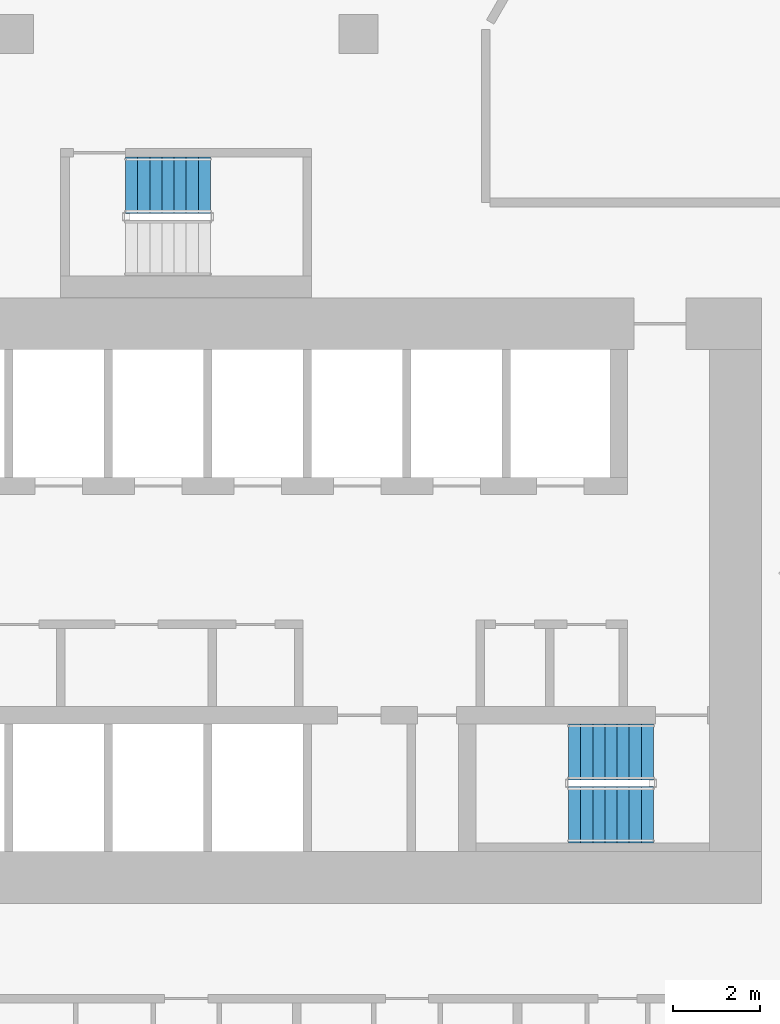
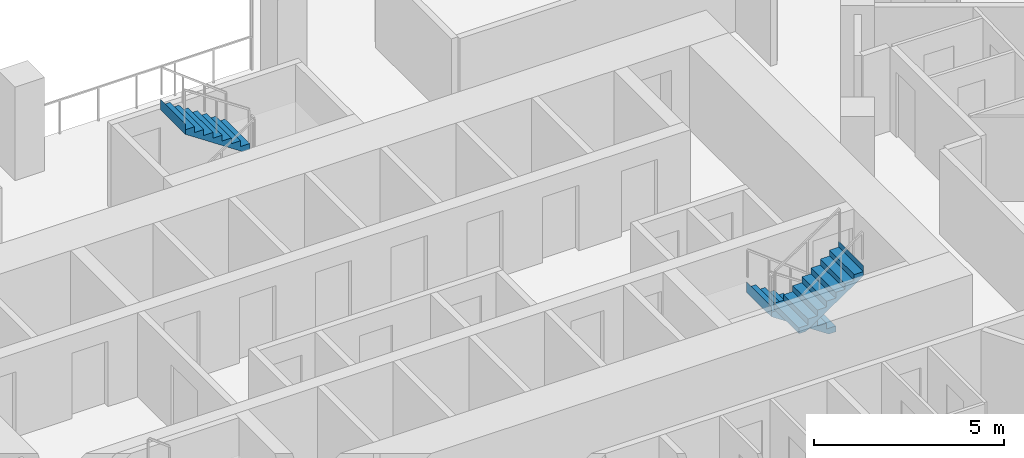
# One storey, part 17 of 21: 3 stair flights, 2 elements without a shape of their own.
"""IFC4 building model written with IfcOpenShell, lengths in metres."""

from ifc_helpers import new_model, si_unit, direction, frame, origin, place, context, subcontext, project, spatial, triangles, material, type_object, element, aggregate, save


model = new_model("IFC4")

# Units and contexts
model_context = context("Model", 3, precision=1e-05, world=origin(), true_north=direction((0.0, 1.0)))
body_context = subcontext(model_context, "Body", "Model", "MODEL_VIEW")
ifc_project = project(units=[si_unit("LENGTHUNIT", "METRE"), si_unit("AREAUNIT", "SQUARE_METRE"), si_unit("VOLUMEUNIT", "CUBIC_METRE"), si_unit("PLANEANGLEUNIT", "RADIAN"), si_unit("MASSUNIT", "GRAM", prefix="KILO")], contexts=[model_context])

# Site, building, storey
site_placement = place(None, origin())
site = spatial("IfcSite", under=ifc_project, at=site_placement, CompositionType="ELEMENT")
building_placement = place(site_placement, origin())
building = spatial("IfcBuilding", under=site, at=building_placement, Name="Beryl Residences", CompositionType="ELEMENT")
storey_placement = place(building_placement, frame((0.0, 0.0, 29.39990234375)))
storey = spatial("IfcBuildingStorey", under=building, at=storey_placement, Name="L08", CompositionType="ELEMENT", Elevation=29.39990234375)

# Stair, stair flights
ifc_material_1 = material(Name="Concrete C40/50", Category="concrete")
stair_type = type_object("IfcStairType", Name="ST1 protected exit stair, half-turn, 1300 mm flights", PredefinedType="HALF_TURN_STAIR", material=ifc_material_1)
stair_1_placement = place(storey_placement, origin())
stair_1 = element("IfcStair", 1, at=stair_1_placement, inside=storey, type_object=stair_type, Name="L08 PROTECTED EXIT STAIR ST-3", PredefinedType="HALF_TURN_STAIR")
ifc_material_2 = material(Name="Concrete C40/50", Category="concrete")
stair_flight_type = type_object("IfcStairFlightType", Name="SF1 stair flight 1300 mm", PredefinedType="STRAIGHT", material=ifc_material_2)
stair_flight_1_placement = place(storey_placement, frame((10.800048828125, -15.5, 0.0), z_axis=(0.0, 0.0, 1.0), x_axis=(-1.0, 0.0, 0.0)))
stair_flight_1 = element("IfcStairFlight", 2, at=stair_flight_1_placement, type_object=stair_flight_type, Name="ST-3 flight 1", NumberOfRisers=8, NumberOfTreads=7, PredefinedType="STRAIGHT", RiserHeight=0.1875, TreadLength=0.28, context=body_context, shape_type="Tessellation", body=[
    triangles([(0.0, -0.64990234375, 0.0), (0.0, -0.324951171875, 0.0), (0.0, 0.0, 0.0), (0.0, 0.324951171875, 0.0), (0.0, 0.64990234375, 0.0), (0.0, -0.64990234375, 0.1875), (0.0, -0.324951171875, 0.1875), (0.0, 0.0, 0.1875), (0.0, 0.324951171875, 0.1875), (0.0, 0.64990234375, 0.1875), (0.280029296875, -0.64990234375, 0.1875), (0.280029296875, -0.324951171875, 0.1875), (0.280029296875, 0.0, 0.1875), (0.280029296875, 0.324951171875, 0.1875), (0.280029296875, 0.64990234375, 0.1875), (0.280029296875, -0.64990234375, 0.375), (0.280029296875, -0.324951171875, 0.375), (0.280029296875, 0.0, 0.375), (0.280029296875, 0.324951171875, 0.375), (0.280029296875, 0.64990234375, 0.375), (0.56005859375, -0.64990234375, 0.375), (0.56005859375, -0.324951171875, 0.375), (0.56005859375, 0.0, 0.375), (0.56005859375, 0.324951171875, 0.375), (0.56005859375, 0.64990234375, 0.375), (0.56005859375, -0.64990234375, 0.5625), (0.56005859375, -0.324951171875, 0.5625), (0.56005859375, 0.0, 0.5625), (0.56005859375, 0.324951171875, 0.5625), (0.56005859375, 0.64990234375, 0.5625), (0.840087890625, -0.64990234375, 0.5625), (0.840087890625, -0.324951171875, 0.5625), (0.840087890625, 0.0, 0.5625), (0.840087890625, 0.324951171875, 0.5625), (0.840087890625, 0.64990234375, 0.5625), (0.840087890625, -0.64990234375, 0.75), (0.840087890625, -0.324951171875, 0.75), (0.840087890625, 0.0, 0.75), (0.840087890625, 0.324951171875, 0.75), (0.840087890625, 0.64990234375, 0.75), (1.1201171875, -0.64990234375, 0.75), (1.1201171875, -0.324951171875, 0.75), (1.1201171875, 0.0, 0.75), (1.1201171875, 0.324951171875, 0.75), (1.1201171875, 0.64990234375, 0.75), (1.1201171875, -0.64990234375, 0.9375), (1.1201171875, -0.324951171875, 0.9375), (1.1201171875, 0.0, 0.9375), (1.1201171875, 0.324951171875, 0.9375), (1.1201171875, 0.64990234375, 0.9375), (1.39990234375, -0.64990234375, 0.9375), (1.39990234375, -0.324951171875, 0.9375), (1.39990234375, 0.0, 0.9375), (1.39990234375, 0.324951171875, 0.9375), (1.39990234375, 0.64990234375, 0.9375), (1.39990234375, -0.64990234375, 1.125), (1.39990234375, -0.324951171875, 1.125), (1.39990234375, 0.0, 1.125), (1.39990234375, 0.324951171875, 1.125), (1.39990234375, 0.64990234375, 1.125), (1.679931640625, -0.64990234375, 1.125), (1.679931640625, -0.324951171875, 1.125), (1.679931640625, 0.0, 1.125), (1.679931640625, 0.324951171875, 1.125), (1.679931640625, 0.64990234375, 1.125), (1.679931640625, -0.64990234375, 1.3125), (1.679931640625, -0.324951171875, 1.3125), (1.679931640625, 0.0, 1.3125), (1.679931640625, 0.324951171875, 1.3125), (1.679931640625, 0.64990234375, 1.3125), (1.9599609375, -0.64990234375, 1.3125), (1.9599609375, -0.324951171875, 1.3125), (1.9599609375, 0.0, 1.3125), (1.9599609375, 0.324951171875, 1.3125), (1.9599609375, 0.64990234375, 1.3125), (1.9599609375, -0.64990234375, 1.5), (1.9599609375, -0.324951171875, 1.5), (1.9599609375, 0.0, 1.5), (1.9599609375, 0.324951171875, 1.5), (1.9599609375, 0.64990234375, 1.5), (1.9609375, -0.64990234375, 1.5), (1.9609375, -0.324951171875, 1.5), (1.9609375, 0.0, 1.5), (1.9609375, 0.324951171875, 1.5), (1.9609375, 0.64990234375, 1.5), (1.9609375, -0.64990234375, 1.16796875), (1.9609375, -0.324951171875, 1.16796875), (1.9609375, 0.0, 1.16796875), (1.9609375, 0.324951171875, 1.16796875), (1.9609375, 0.64990234375, 1.16796875), (0.216796875, -0.64990234375, 0.0), (0.216796875, -0.324951171875, 0.0), (0.216796875, 0.0, 0.0), (0.216796875, 0.324951171875, 0.0), (0.216796875, 0.64990234375, 0.0)], [[1, 6, 7], [1, 7, 2], [2, 7, 8], [2, 8, 3], [3, 8, 9], [3, 9, 4], [4, 9, 10], [4, 10, 5], [6, 11, 12], [6, 12, 7], [7, 12, 13], [7, 13, 8], [8, 13, 14], [8, 14, 9], [9, 14, 15], [9, 15, 10], [11, 16, 17], [11, 17, 12], [12, 17, 18], [12, 18, 13], [13, 18, 19], [13, 19, 14], [14, 19, 20], [14, 20, 15], [16, 21, 22], [16, 22, 17], [17, 22, 23], [17, 23, 18], [18, 23, 24], [18, 24, 19], [19, 24, 25], [19, 25, 20], [21, 26, 27], [21, 27, 22], [22, 27, 28], [22, 28, 23], [23, 28, 29], [23, 29, 24], [24, 29, 30], [24, 30, 25], [26, 31, 32], [26, 32, 27], [27, 32, 33], [27, 33, 28], [28, 33, 34], [28, 34, 29], [29, 34, 35], [29, 35, 30], [31, 36, 37], [31, 37, 32], [32, 37, 38], [32, 38, 33], [33, 38, 39], [33, 39, 34], [34, 39, 40], [34, 40, 35], [36, 41, 42], [36, 42, 37], [37, 42, 43], [37, 43, 38], [38, 43, 44], [38, 44, 39], [39, 44, 45], [39, 45, 40], [41, 46, 47], [41, 47, 42], [42, 47, 48], [42, 48, 43], [43, 48, 49], [43, 49, 44], [44, 49, 50], [44, 50, 45], [46, 51, 52], [46, 52, 47], [47, 52, 53], [47, 53, 48], [48, 53, 54], [48, 54, 49], [49, 54, 55], [49, 55, 50], [51, 56, 57], [51, 57, 52], [52, 57, 58], [52, 58, 53], [53, 58, 59], [53, 59, 54], [54, 59, 60], [54, 60, 55], [56, 61, 62], [56, 62, 57], [57, 62, 63], [57, 63, 58], [58, 63, 64], [58, 64, 59], [59, 64, 65], [59, 65, 60], [61, 66, 67], [61, 67, 62], [62, 67, 68], [62, 68, 63], [63, 68, 69], [63, 69, 64], [64, 69, 70], [64, 70, 65], [66, 71, 72], [66, 72, 67], [67, 72, 73], [67, 73, 68], [68, 73, 74], [68, 74, 69], [69, 74, 75], [69, 75, 70], [71, 76, 77], [71, 77, 72], [72, 77, 78], [72, 78, 73], [73, 78, 79], [73, 79, 74], [74, 79, 80], [74, 80, 75], [76, 81, 82], [76, 82, 77], [77, 82, 83], [77, 83, 78], [78, 83, 84], [78, 84, 79], [79, 84, 85], [79, 85, 80], [81, 86, 87], [81, 87, 82], [82, 87, 88], [82, 88, 83], [83, 88, 89], [83, 89, 84], [84, 89, 90], [84, 90, 85], [86, 91, 92], [86, 92, 87], [87, 92, 93], [87, 93, 88], [88, 93, 94], [88, 94, 89], [89, 94, 95], [89, 95, 90], [91, 1, 2], [91, 2, 92], [92, 2, 3], [92, 3, 93], [93, 3, 4], [93, 4, 94], [94, 4, 5], [94, 5, 95], [1, 91, 86], [5, 90, 95], [86, 81, 76], [90, 80, 85], [86, 76, 71], [90, 75, 80], [86, 71, 66], [90, 70, 75], [86, 66, 61], [90, 65, 70], [61, 56, 51], [65, 55, 60], [86, 61, 51], [90, 55, 65], [51, 46, 41], [55, 45, 50], [86, 51, 41], [90, 45, 55], [41, 36, 31], [45, 35, 40], [86, 41, 31], [90, 35, 45], [31, 26, 21], [35, 25, 30], [86, 31, 21], [90, 25, 35], [21, 16, 11], [25, 15, 20], [86, 21, 11], [90, 15, 25], [1, 86, 11], [5, 15, 90], [11, 6, 1], [15, 5, 10]], closed=True),
])
stair_flight_2_placement = place(storey_placement, frame((8.840087890625, -16.949951171875, 1.5), z_axis=(0.0, 0.0, 1.0), x_axis=(1.0, 0.0, 0.0)))
stair_flight_2 = element("IfcStairFlight", 3, at=stair_flight_2_placement, type_object=stair_flight_type, Name="ST-3 flight 2", NumberOfRisers=8, NumberOfTreads=7, PredefinedType="STRAIGHT", RiserHeight=0.1875, TreadLength=0.28, context=body_context, shape_type="Tessellation", body=[
    triangles([(0.0, -0.64990234375, 0.0), (0.0, -0.324951171875, 0.0), (0.0, 0.0, 0.0), (0.0, 0.324951171875, 0.0), (0.0, 0.64990234375, 0.0), (0.0, -0.64990234375, 0.1875), (0.0, -0.324951171875, 0.1875), (0.0, 0.0, 0.1875), (0.0, 0.324951171875, 0.1875), (0.0, 0.64990234375, 0.1875), (0.280029296875, -0.64990234375, 0.1875), (0.280029296875, -0.324951171875, 0.1875), (0.280029296875, 0.0, 0.1875), (0.280029296875, 0.324951171875, 0.1875), (0.280029296875, 0.64990234375, 0.1875), (0.280029296875, -0.64990234375, 0.375), (0.280029296875, -0.324951171875, 0.375), (0.280029296875, 0.0, 0.375), (0.280029296875, 0.324951171875, 0.375), (0.280029296875, 0.64990234375, 0.375), (0.56005859375, -0.64990234375, 0.375), (0.56005859375, -0.324951171875, 0.375), (0.56005859375, 0.0, 0.375), (0.56005859375, 0.324951171875, 0.375), (0.56005859375, 0.64990234375, 0.375), (0.56005859375, -0.64990234375, 0.5625), (0.56005859375, -0.324951171875, 0.5625), (0.56005859375, 0.0, 0.5625), (0.56005859375, 0.324951171875, 0.5625), (0.56005859375, 0.64990234375, 0.5625), (0.840087890625, -0.64990234375, 0.5625), (0.840087890625, -0.324951171875, 0.5625), (0.840087890625, 0.0, 0.5625), (0.840087890625, 0.324951171875, 0.5625), (0.840087890625, 0.64990234375, 0.5625), (0.840087890625, -0.64990234375, 0.75), (0.840087890625, -0.324951171875, 0.75), (0.840087890625, 0.0, 0.75), (0.840087890625, 0.324951171875, 0.75), (0.840087890625, 0.64990234375, 0.75), (1.1201171875, -0.64990234375, 0.75), (1.1201171875, -0.324951171875, 0.75), (1.1201171875, 0.0, 0.75), (1.1201171875, 0.324951171875, 0.75), (1.1201171875, 0.64990234375, 0.75), (1.1201171875, -0.64990234375, 0.9375), (1.1201171875, -0.324951171875, 0.9375), (1.1201171875, 0.0, 0.9375), (1.1201171875, 0.324951171875, 0.9375), (1.1201171875, 0.64990234375, 0.9375), (1.39990234375, -0.64990234375, 0.9375), (1.39990234375, -0.324951171875, 0.9375), (1.39990234375, 0.0, 0.9375), (1.39990234375, 0.324951171875, 0.9375), (1.39990234375, 0.64990234375, 0.9375), (1.39990234375, -0.64990234375, 1.125), (1.39990234375, -0.324951171875, 1.125), (1.39990234375, 0.0, 1.125), (1.39990234375, 0.324951171875, 1.125), (1.39990234375, 0.64990234375, 1.125), (1.679931640625, -0.64990234375, 1.125), (1.679931640625, -0.324951171875, 1.125), (1.679931640625, 0.0, 1.125), (1.679931640625, 0.324951171875, 1.125), (1.679931640625, 0.64990234375, 1.125), (1.679931640625, -0.64990234375, 1.3125), (1.679931640625, -0.324951171875, 1.3125), (1.679931640625, 0.0, 1.3125), (1.679931640625, 0.324951171875, 1.3125), (1.679931640625, 0.64990234375, 1.3125), (1.9599609375, -0.64990234375, 1.3125), (1.9599609375, -0.324951171875, 1.3125), (1.9599609375, 0.0, 1.3125), (1.9599609375, 0.324951171875, 1.3125), (1.9599609375, 0.64990234375, 1.3125), (1.9599609375, -0.64990234375, 1.5), (1.9599609375, -0.324951171875, 1.5), (1.9599609375, 0.0, 1.5), (1.9599609375, 0.324951171875, 1.5), (1.9599609375, 0.64990234375, 1.5), (1.9609375, -0.64990234375, 1.5), (1.9609375, -0.324951171875, 1.5), (1.9609375, 0.0, 1.5), (1.9609375, 0.324951171875, 1.5), (1.9609375, 0.64990234375, 1.5), (1.9609375, -0.64990234375, 1.16796875), (1.9609375, -0.324951171875, 1.16796875), (1.9609375, 0.0, 1.16796875), (1.9609375, 0.324951171875, 1.16796875), (1.9609375, 0.64990234375, 1.16796875), (0.216796875, -0.64990234375, 0.0), (0.216796875, -0.324951171875, 0.0), (0.216796875, 0.0, 0.0), (0.216796875, 0.324951171875, 0.0), (0.216796875, 0.64990234375, 0.0)], [[1, 6, 7], [1, 7, 2], [2, 7, 8], [2, 8, 3], [3, 8, 9], [3, 9, 4], [4, 9, 10], [4, 10, 5], [6, 11, 12], [6, 12, 7], [7, 12, 13], [7, 13, 8], [8, 13, 14], [8, 14, 9], [9, 14, 15], [9, 15, 10], [11, 16, 17], [11, 17, 12], [12, 17, 18], [12, 18, 13], [13, 18, 19], [13, 19, 14], [14, 19, 20], [14, 20, 15], [16, 21, 22], [16, 22, 17], [17, 22, 23], [17, 23, 18], [18, 23, 24], [18, 24, 19], [19, 24, 25], [19, 25, 20], [21, 26, 27], [21, 27, 22], [22, 27, 28], [22, 28, 23], [23, 28, 29], [23, 29, 24], [24, 29, 30], [24, 30, 25], [26, 31, 32], [26, 32, 27], [27, 32, 33], [27, 33, 28], [28, 33, 34], [28, 34, 29], [29, 34, 35], [29, 35, 30], [31, 36, 37], [31, 37, 32], [32, 37, 38], [32, 38, 33], [33, 38, 39], [33, 39, 34], [34, 39, 40], [34, 40, 35], [36, 41, 42], [36, 42, 37], [37, 42, 43], [37, 43, 38], [38, 43, 44], [38, 44, 39], [39, 44, 45], [39, 45, 40], [41, 46, 47], [41, 47, 42], [42, 47, 48], [42, 48, 43], [43, 48, 49], [43, 49, 44], [44, 49, 50], [44, 50, 45], [46, 51, 52], [46, 52, 47], [47, 52, 53], [47, 53, 48], [48, 53, 54], [48, 54, 49], [49, 54, 55], [49, 55, 50], [51, 56, 57], [51, 57, 52], [52, 57, 58], [52, 58, 53], [53, 58, 59], [53, 59, 54], [54, 59, 60], [54, 60, 55], [56, 61, 62], [56, 62, 57], [57, 62, 63], [57, 63, 58], [58, 63, 64], [58, 64, 59], [59, 64, 65], [59, 65, 60], [61, 66, 67], [61, 67, 62], [62, 67, 68], [62, 68, 63], [63, 68, 69], [63, 69, 64], [64, 69, 70], [64, 70, 65], [66, 71, 72], [66, 72, 67], [67, 72, 73], [67, 73, 68], [68, 73, 74], [68, 74, 69], [69, 74, 75], [69, 75, 70], [71, 76, 77], [71, 77, 72], [72, 77, 78], [72, 78, 73], [73, 78, 79], [73, 79, 74], [74, 79, 80], [74, 80, 75], [76, 81, 82], [76, 82, 77], [77, 82, 83], [77, 83, 78], [78, 83, 84], [78, 84, 79], [79, 84, 85], [79, 85, 80], [81, 86, 87], [81, 87, 82], [82, 87, 88], [82, 88, 83], [83, 88, 89], [83, 89, 84], [84, 89, 90], [84, 90, 85], [86, 91, 92], [86, 92, 87], [87, 92, 93], [87, 93, 88], [88, 93, 94], [88, 94, 89], [89, 94, 95], [89, 95, 90], [91, 1, 2], [91, 2, 92], [92, 2, 3], [92, 3, 93], [93, 3, 4], [93, 4, 94], [94, 4, 5], [94, 5, 95], [1, 91, 86], [5, 90, 95], [86, 81, 76], [90, 80, 85], [86, 76, 71], [90, 75, 80], [86, 71, 66], [90, 70, 75], [86, 66, 61], [90, 65, 70], [61, 56, 51], [65, 55, 60], [86, 61, 51], [90, 55, 65], [51, 46, 41], [55, 45, 50], [86, 51, 41], [90, 45, 55], [41, 36, 31], [45, 35, 40], [86, 41, 31], [90, 35, 45], [31, 26, 21], [35, 25, 30], [86, 31, 21], [90, 25, 35], [21, 16, 11], [25, 15, 20], [86, 21, 11], [90, 15, 25], [1, 86, 11], [5, 15, 90], [11, 6, 1], [15, 5, 10]], closed=True),
])
aggregate(stair_1, [stair_flight_1, stair_flight_2])

# Stair, stair flight
stair_2_placement = place(storey_placement, origin())
stair_2 = element("IfcStair", 4, at=stair_2_placement, inside=storey, type_object=stair_type, Name="L08 PROTECTED EXIT STAIR ST-4", PredefinedType="HALF_TURN_STAIR")
stair_flight_3_placement = place(storey_placement, frame((0.56005859375, -2.39990234375, 1.5), z_axis=(0.0, 0.0, 1.0), x_axis=(-1.0, 0.0, 0.0)))
stair_flight_3 = element("IfcStairFlight", 5, at=stair_flight_3_placement, type_object=stair_flight_type, Name="ST-4 flight 2", NumberOfRisers=8, NumberOfTreads=7, PredefinedType="STRAIGHT", RiserHeight=0.1875, TreadLength=0.28, context=body_context, shape_type="Tessellation", body=[
    triangles([(0.0, -0.64990234375, 0.0), (0.0, -0.324951171875, 0.0), (0.0, 0.0, 0.0), (0.0, 0.324951171875, 0.0), (0.0, 0.64990234375, 0.0), (0.0, -0.64990234375, 0.1875), (0.0, -0.324951171875, 0.1875), (0.0, 0.0, 0.1875), (0.0, 0.324951171875, 0.1875), (0.0, 0.64990234375, 0.1875), (0.280029296875, -0.64990234375, 0.1875), (0.280029296875, -0.324951171875, 0.1875), (0.280029296875, 0.0, 0.1875), (0.280029296875, 0.324951171875, 0.1875), (0.280029296875, 0.64990234375, 0.1875), (0.280029296875, -0.64990234375, 0.375), (0.280029296875, -0.324951171875, 0.375), (0.280029296875, 0.0, 0.375), (0.280029296875, 0.324951171875, 0.375), (0.280029296875, 0.64990234375, 0.375), (0.56005859375, -0.64990234375, 0.375), (0.56005859375, -0.324951171875, 0.375), (0.56005859375, 0.0, 0.375), (0.56005859375, 0.324951171875, 0.375), (0.56005859375, 0.64990234375, 0.375), (0.56005859375, -0.64990234375, 0.5625), (0.56005859375, -0.324951171875, 0.5625), (0.56005859375, 0.0, 0.5625), (0.56005859375, 0.324951171875, 0.5625), (0.56005859375, 0.64990234375, 0.5625), (0.840087890625, -0.64990234375, 0.5625), (0.840087890625, -0.324951171875, 0.5625), (0.840087890625, 0.0, 0.5625), (0.840087890625, 0.324951171875, 0.5625), (0.840087890625, 0.64990234375, 0.5625), (0.840087890625, -0.64990234375, 0.75), (0.840087890625, -0.324951171875, 0.75), (0.840087890625, 0.0, 0.75), (0.840087890625, 0.324951171875, 0.75), (0.840087890625, 0.64990234375, 0.75), (1.1201171875, -0.64990234375, 0.75), (1.1201171875, -0.324951171875, 0.75), (1.1201171875, 0.0, 0.75), (1.1201171875, 0.324951171875, 0.75), (1.1201171875, 0.64990234375, 0.75), (1.1201171875, -0.64990234375, 0.9375), (1.1201171875, -0.324951171875, 0.9375), (1.1201171875, 0.0, 0.9375), (1.1201171875, 0.324951171875, 0.9375), (1.1201171875, 0.64990234375, 0.9375), (1.39990234375, -0.64990234375, 0.9375), (1.39990234375, -0.324951171875, 0.9375), (1.39990234375, 0.0, 0.9375), (1.39990234375, 0.324951171875, 0.9375), (1.39990234375, 0.64990234375, 0.9375), (1.39990234375, -0.64990234375, 1.125), (1.39990234375, -0.324951171875, 1.125), (1.39990234375, 0.0, 1.125), (1.39990234375, 0.324951171875, 1.125), (1.39990234375, 0.64990234375, 1.125), (1.679931640625, -0.64990234375, 1.125), (1.679931640625, -0.324951171875, 1.125), (1.679931640625, 0.0, 1.125), (1.679931640625, 0.324951171875, 1.125), (1.679931640625, 0.64990234375, 1.125), (1.679931640625, -0.64990234375, 1.3125), (1.679931640625, -0.324951171875, 1.3125), (1.679931640625, 0.0, 1.3125), (1.679931640625, 0.324951171875, 1.3125), (1.679931640625, 0.64990234375, 1.3125), (1.9599609375, -0.64990234375, 1.3125), (1.9599609375, -0.324951171875, 1.3125), (1.9599609375, 0.0, 1.3125), (1.9599609375, 0.324951171875, 1.3125), (1.9599609375, 0.64990234375, 1.3125), (1.9599609375, -0.64990234375, 1.5), (1.9599609375, -0.324951171875, 1.5), (1.9599609375, 0.0, 1.5), (1.9599609375, 0.324951171875, 1.5), (1.9599609375, 0.64990234375, 1.5), (1.9609375, -0.64990234375, 1.5), (1.9609375, -0.324951171875, 1.5), (1.9609375, 0.0, 1.5), (1.9609375, 0.324951171875, 1.5), (1.9609375, 0.64990234375, 1.5), (1.9609375, -0.64990234375, 1.16796875), (1.9609375, -0.324951171875, 1.16796875), (1.9609375, 0.0, 1.16796875), (1.9609375, 0.324951171875, 1.16796875), (1.9609375, 0.64990234375, 1.16796875), (0.216796875, -0.64990234375, 0.0), (0.216796875, -0.324951171875, 0.0), (0.216796875, 0.0, 0.0), (0.216796875, 0.324951171875, 0.0), (0.216796875, 0.64990234375, 0.0)], [[1, 6, 7], [1, 7, 2], [2, 7, 8], [2, 8, 3], [3, 8, 9], [3, 9, 4], [4, 9, 10], [4, 10, 5], [6, 11, 12], [6, 12, 7], [7, 12, 13], [7, 13, 8], [8, 13, 14], [8, 14, 9], [9, 14, 15], [9, 15, 10], [11, 16, 17], [11, 17, 12], [12, 17, 18], [12, 18, 13], [13, 18, 19], [13, 19, 14], [14, 19, 20], [14, 20, 15], [16, 21, 22], [16, 22, 17], [17, 22, 23], [17, 23, 18], [18, 23, 24], [18, 24, 19], [19, 24, 25], [19, 25, 20], [21, 26, 27], [21, 27, 22], [22, 27, 28], [22, 28, 23], [23, 28, 29], [23, 29, 24], [24, 29, 30], [24, 30, 25], [26, 31, 32], [26, 32, 27], [27, 32, 33], [27, 33, 28], [28, 33, 34], [28, 34, 29], [29, 34, 35], [29, 35, 30], [31, 36, 37], [31, 37, 32], [32, 37, 38], [32, 38, 33], [33, 38, 39], [33, 39, 34], [34, 39, 40], [34, 40, 35], [36, 41, 42], [36, 42, 37], [37, 42, 43], [37, 43, 38], [38, 43, 44], [38, 44, 39], [39, 44, 45], [39, 45, 40], [41, 46, 47], [41, 47, 42], [42, 47, 48], [42, 48, 43], [43, 48, 49], [43, 49, 44], [44, 49, 50], [44, 50, 45], [46, 51, 52], [46, 52, 47], [47, 52, 53], [47, 53, 48], [48, 53, 54], [48, 54, 49], [49, 54, 55], [49, 55, 50], [51, 56, 57], [51, 57, 52], [52, 57, 58], [52, 58, 53], [53, 58, 59], [53, 59, 54], [54, 59, 60], [54, 60, 55], [56, 61, 62], [56, 62, 57], [57, 62, 63], [57, 63, 58], [58, 63, 64], [58, 64, 59], [59, 64, 65], [59, 65, 60], [61, 66, 67], [61, 67, 62], [62, 67, 68], [62, 68, 63], [63, 68, 69], [63, 69, 64], [64, 69, 70], [64, 70, 65], [66, 71, 72], [66, 72, 67], [67, 72, 73], [67, 73, 68], [68, 73, 74], [68, 74, 69], [69, 74, 75], [69, 75, 70], [71, 76, 77], [71, 77, 72], [72, 77, 78], [72, 78, 73], [73, 78, 79], [73, 79, 74], [74, 79, 80], [74, 80, 75], [76, 81, 82], [76, 82, 77], [77, 82, 83], [77, 83, 78], [78, 83, 84], [78, 84, 79], [79, 84, 85], [79, 85, 80], [81, 86, 87], [81, 87, 82], [82, 87, 88], [82, 88, 83], [83, 88, 89], [83, 89, 84], [84, 89, 90], [84, 90, 85], [86, 91, 92], [86, 92, 87], [87, 92, 93], [87, 93, 88], [88, 93, 94], [88, 94, 89], [89, 94, 95], [89, 95, 90], [91, 1, 2], [91, 2, 92], [92, 2, 3], [92, 3, 93], [93, 3, 4], [93, 4, 94], [94, 4, 5], [94, 5, 95], [1, 91, 86], [5, 90, 95], [86, 81, 76], [90, 80, 85], [86, 76, 71], [90, 75, 80], [86, 71, 66], [90, 70, 75], [86, 66, 61], [90, 65, 70], [61, 56, 51], [65, 55, 60], [86, 61, 51], [90, 55, 65], [51, 46, 41], [55, 45, 50], [86, 51, 41], [90, 45, 55], [41, 36, 31], [45, 35, 40], [86, 41, 31], [90, 35, 45], [31, 26, 21], [35, 25, 30], [86, 31, 21], [90, 25, 35], [21, 16, 11], [25, 15, 20], [86, 21, 11], [90, 15, 25], [1, 86, 11], [5, 15, 90], [11, 6, 1], [15, 5, 10]], closed=True),
])
aggregate(stair_2, [stair_flight_3])

save(model, "model.ifc")
